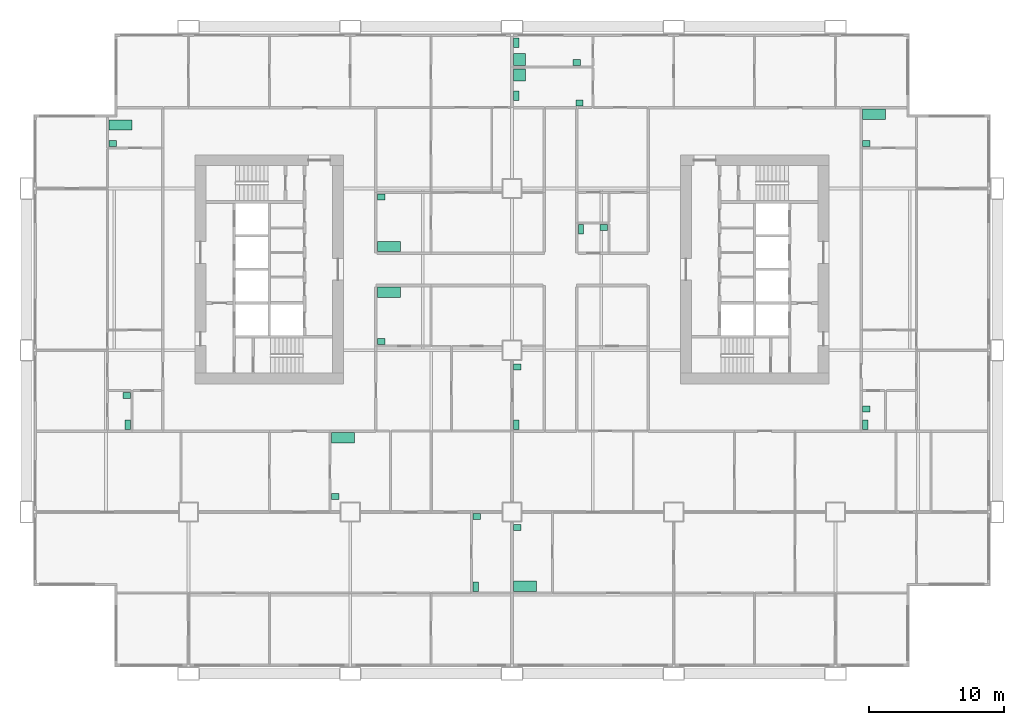
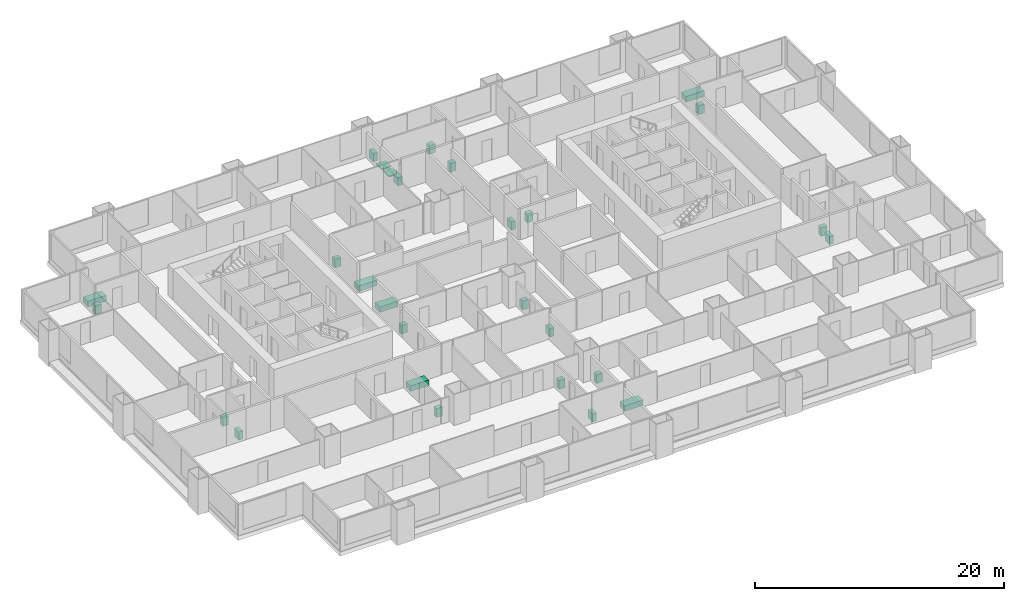
# One storey, part 13 of 13: 28 sanitary terminals.
"""IFC4 building model written with IfcOpenShell, lengths in metres."""

from ifc_helpers import new_model, si_unit, direction, frame, origin, origin_2d, place, context, subcontext, project, spatial, rectangle, extrude, material, type_object, element, save


model = new_model("IFC4")

# Units and contexts
model_context = context("Model", 3, precision=1e-05, world=origin(), true_north=direction((0.0, 1.0)))
body_context = subcontext(model_context, "Body", "Model", "MODEL_VIEW")
ifc_project = project(units=[si_unit("LENGTHUNIT", "METRE"), si_unit("AREAUNIT", "SQUARE_METRE"), si_unit("VOLUMEUNIT", "CUBIC_METRE"), si_unit("PLANEANGLEUNIT", "RADIAN"), si_unit("MASSUNIT", "GRAM", prefix="KILO")], contexts=[model_context])

# Site, building, storey
site_placement = place(None, origin())
site = spatial("IfcSite", under=ifc_project, at=site_placement, CompositionType="ELEMENT")
building_placement = place(site_placement, origin())
building = spatial("IfcBuilding", under=site, at=building_placement, Name="Kitamizu Gate Tower and Museum", CompositionType="ELEMENT")
storey_placement = place(building_placement, frame((0.0, 0.0, 78.300048828125)))
storey = spatial("IfcBuildingStorey", under=building, at=storey_placement, Name="L19", CompositionType="ELEMENT", Elevation=78.300048828125)

# Sanitary terminals
ifc_material_1 = material(Name="Acrylic")
sanitary_terminal_type_1 = type_object("IfcSanitaryTerminalType", Name="Bath", PredefinedType="BATH", material=ifc_material_1)
for number, where, z_axis, x_axis, name in (
    (1, (23.469970703125, 17.5048828125, 0.0009765625), (0.0, 0.0, 1.0), (1.0, 0.0, 0.0), "Bath Bathroom 19A"),
    (2, (26.8701171875, 28.304931640625, 0.0009765625), (0.0, 0.0, 1.0), (1.0, 0.0, 0.0), "Bath Bathroom 19A"),
    (3, (6.969970703125, 40.705078125, 0.0009765625), (0.0, 0.0, 1.0), (1.0, 0.0, 0.0), "Bath Bathroom 19B"),
    (4, (36.969970703125, 6.4951171875, 0.0009765625), (0.0, 0.0, 1.0), (1.0, 0.0, 0.0), "Bath Bathroom and WC 19C"),
    (5, (62.8701171875, 41.5048828125, 0.0009765625), (0.0, 0.0, 1.0), (1.0, 0.0, 0.0), "Bath Bathroom 19D"),
    (6, (26.8701171875, 31.695068359375, 0.0009765625), (0.0, 0.0, 1.0), (1.0, 0.0, 0.0), "Bath Bathroom and WC 19E"),
):
    element("IfcSanitaryTerminal", number, at=place(storey_placement, frame(where, z_axis=z_axis, x_axis=x_axis)), inside=storey, type_object=sanitary_terminal_type_1, Name=name, PredefinedType="BATH", context=body_context, shape_type="SweptSolid", body=[
        extrude(rectangle(XDim=1.699951171875, YDim=0.75, at=origin_2d()), origin(), (0.0, 0.0, 1.0), 0.550048828125),
    ])
ifc_material_2 = material(Name="Acrylic")
sanitary_terminal_type_2 = type_object("IfcSanitaryTerminalType", Name="Shower tray", PredefinedType="SHOWER", material=ifc_material_2)
for number, where, z_axis, x_axis, name in (
    (7, (36.570068359375, 44.429931640625, 0.0009765625), (0.0, 0.0, 1.0), (1.0, 0.0, 0.0), "Shower tray En-suite bathroom 19F"),
    (8, (36.570068359375, 45.570068359375, 0.0009765625), (0.0, 0.0, 1.0), (1.0, 0.0, 0.0), "Shower tray En-suite bathroom 19F"),
):
    element("IfcSanitaryTerminal", number, at=place(storey_placement, frame(where, z_axis=z_axis, x_axis=x_axis)), inside=storey, type_object=sanitary_terminal_type_2, Name=name, PredefinedType="SHOWER", context=body_context, shape_type="SweptSolid", body=[
        extrude(rectangle(XDim=0.89990234375, YDim=0.89990234375, at=origin_2d()), origin(), (0.0, 0.0, 1.0), 0.10009765625),
    ])
ifc_material_3 = material(Name="Vitreous china")
sanitary_terminal_type_3 = type_object("IfcSanitaryTerminalType", Name="Wash hand basin", PredefinedType="WASHHANDBASIN", material=ifc_material_3)
for number, where, z_axis, x_axis, name in (
    (9, (33.39501953125, 11.655029296875, 0.0009765625), (0.0, 0.0, 1.0), (1.0, 0.0, 0.0), "Wash hand basin WC 19A"),
    (10, (22.89501953125, 13.14501953125, 0.0009765625), (0.0, 0.0, 1.0), (1.0, 0.0, 0.0), "Wash hand basin Bathroom 19A"),
    (11, (36.39501953125, 22.7548828125, 0.0009765625), (0.0, 0.0, 1.0), (1.0, 0.0, 0.0), "Wash hand basin WC 19A"),
    (12, (26.294921875, 24.64501953125, 0.0009765625), (0.0, 0.0, 1.0), (1.0, 0.0, 0.0), "Wash hand basin Bathroom 19A"),
    (13, (7.405029296875, 20.655029296875, 0.0009765625), (0.0, 0.0, 1.0), (1.0, 0.0, 0.0), "Wash hand basin WC 19B"),
    (14, (6.39501953125, 39.344970703125, 0.0009765625), (0.0, 0.0, 1.0), (1.0, 0.0, 0.0), "Wash hand basin Bathroom 19B"),
    (15, (36.39501953125, 10.85498046875, 0.0009765625), (0.0, 0.0, 1.0), (1.0, 0.0, 0.0), "Wash hand basin Bathroom and WC 19C"),
    (16, (62.294921875, 19.655029296875, 0.0009765625), (0.0, 0.0, 1.0), (1.0, 0.0, 0.0), "Wash hand basin WC 19D"),
    (17, (62.294921875, 39.344970703125, 0.0009765625), (0.0, 0.0, 1.0), (1.0, 0.0, 0.0), "Wash hand basin Bathroom 19D"),
    (18, (26.294921875, 35.35498046875, 0.0009765625), (0.0, 0.0, 1.0), (1.0, 0.0, 0.0), "Wash hand basin Bathroom and WC 19E"),
    (19, (41.0048828125, 42.344970703125, 0.0009765625), (0.0, 0.0, 1.0), (1.0, 0.0, 0.0), "Wash hand basin En-suite bathroom 19F"),
    (20, (40.804931640625, 45.344970703125, 0.0009765625), (0.0, 0.0, 1.0), (1.0, 0.0, 0.0), "Wash hand basin En-suite bathroom 19F"),
    (21, (42.804931640625, 33.10498046875, 0.0009765625), (0.0, 0.0, 1.0), (1.0, 0.0, 0.0), "Wash hand basin WC 19F"),
):
    element("IfcSanitaryTerminal", number, at=place(storey_placement, frame(where, z_axis=z_axis, x_axis=x_axis)), inside=storey, type_object=sanitary_terminal_type_3, Name=name, PredefinedType="WASHHANDBASIN", context=body_context, shape_type="SweptSolid", body=[
        extrude(rectangle(XDim=0.550048828125, YDim=0.449951171875, at=origin_2d()), origin(), (0.0, 0.0, 1.0), 0.85009765625),
    ])
ifc_material_4 = material(Name="Vitreous china")
sanitary_terminal_type_4 = type_object("IfcSanitaryTerminalType", Name="Water closet", PredefinedType="TOILETPAN", material=ifc_material_4)
for number, where, z_axis, x_axis, name in (
    (22, (33.320068359375, 6.469970703125, 0.0009765625), (0.0, 0.0, 1.0), (1.0, 0.0, 0.0), "Water closet WC 19A"),
    (23, (36.320068359375, 18.469970703125, 0.0009765625), (0.0, 0.0, 1.0), (1.0, 0.0, 0.0), "Water closet WC 19A"),
    (24, (7.47998046875, 18.469970703125, 0.0009765625), (0.0, 0.0, 1.0), (1.0, 0.0, 0.0), "Water closet WC 19B"),
    (25, (62.219970703125, 18.469970703125, 0.0009765625), (0.0, 0.0, 1.0), (1.0, 0.0, 0.0), "Water closet WC 19D"),
    (26, (36.320068359375, 42.8701171875, 0.0009765625), (0.0, 0.0, 1.0), (1.0, 0.0, 0.0), "Water closet En-suite bathroom 19F"),
    (27, (36.320068359375, 46.81005859375, 0.0009765625), (0.0, 0.0, 1.0), (1.0, 0.0, 0.0), "Water closet En-suite bathroom 19F"),
    (28, (41.1201171875, 32.97998046875, 0.0009765625), (0.0, 0.0, 1.0), (1.0, 0.0, 0.0), "Water closet WC 19F"),
):
    element("IfcSanitaryTerminal", number, at=place(storey_placement, frame(where, z_axis=z_axis, x_axis=x_axis)), inside=storey, type_object=sanitary_terminal_type_4, Name=name, PredefinedType="TOILETPAN", context=body_context, shape_type="SweptSolid", body=[
        extrude(rectangle(XDim=0.39990234375, YDim=0.699951171875, at=origin_2d()), origin(), (0.0, 0.0, 1.0), 0.800048828125),
    ])

save(model, "model.ifc")
